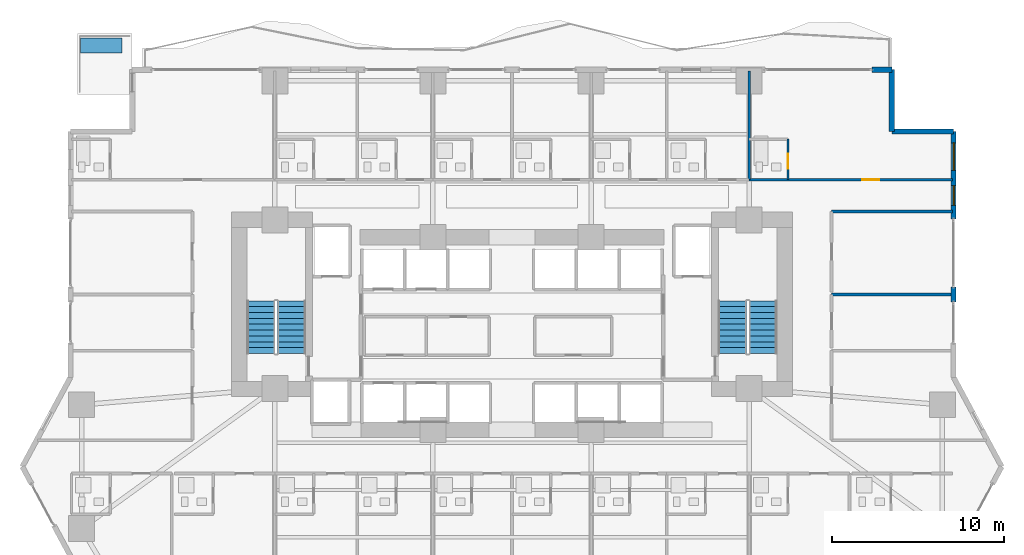
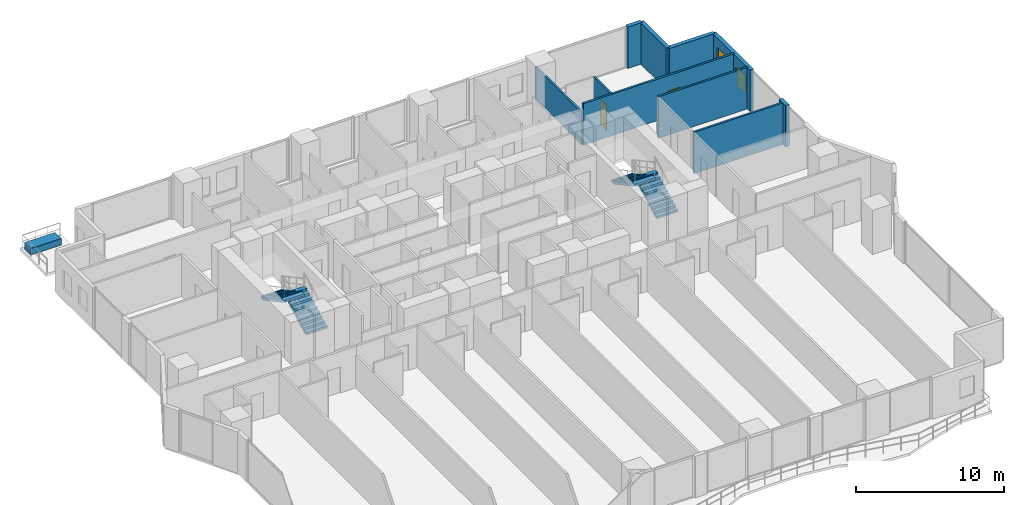
# One storey, part 24 of 29: 10 walls, 4 stair flights, 2 doors, 2 windows, 1 building element part, 4 openings, 2 elements without a shape of their own.
"""IFC4 building model written with IfcOpenShell, lengths in metres."""

from ifc_helpers import new_model, si_unit, direction, frame, frame_2d, origin, origin_2d, place, context, subcontext, project, spatial, polyline, rectangle, outline, extrude, material, layer, layer_set, type_object, element, fill, aggregate, save


model = new_model("IFC4")

# Units and contexts
model_context = context("Model", 3, precision=1e-05, world=origin(), true_north=direction((0.0, 1.0)))
body_context = subcontext(model_context, "Body", "Model", "MODEL_VIEW")
ifc_project = project(units=[si_unit("LENGTHUNIT", "METRE"), si_unit("AREAUNIT", "SQUARE_METRE"), si_unit("VOLUMEUNIT", "CUBIC_METRE"), si_unit("PLANEANGLEUNIT", "RADIAN"), si_unit("MASSUNIT", "GRAM", prefix="KILO")], contexts=[model_context])

# Site, building, storey
site_placement = place(None, origin())
site = spatial("IfcSite", under=ifc_project, at=site_placement, CompositionType="ELEMENT")
building_placement = place(site_placement, origin())
building = spatial("IfcBuilding", under=site, at=building_placement, Name="Zuhayl Quay Hotel", CompositionType="ELEMENT")
storey_placement = place(building_placement, frame((0.0, 0.0, 64.10009765625)))
storey = spatial("IfcBuildingStorey", under=building, at=storey_placement, Name="L15", CompositionType="ELEMENT", Elevation=64.10009765625)

# Walls
ifc_material_1 = material(Name="Precast concrete C45/55", Category="concrete")
ifc_layer_1 = layer(ifc_material_1, 0.300048828125, Name="Precast concrete C45/55", Category="concrete")
ifc_layer_set_1 = layer_set([ifc_layer_1], Name="Precast concrete C45/55")
wall_type_1 = type_object("IfcWallType", Name="WL_EXT_300", PredefinedType="STANDARD", material=ifc_layer_set_1)
wall_1_placement = place(storey_placement, frame((20.949951171875, 23.10009765625, 0.0), z_axis=(0.0, 0.0, 1.0), x_axis=(1.0, 0.0, 0.0)))
element("IfcWall", 1, at=wall_1_placement, inside=storey, type_object=wall_type_1, Name="L15 Exterior Precast Wall ENV_L15_N_EW7", PredefinedType="STANDARD", context=body_context, shape_type="SweptSolid", body=[
    extrude(rectangle(XDim=1.150146484375, YDim=0.300048828125, at=frame_2d((0.5751953125, 0.0))), origin(), (0.0, 0.0, 1.0), 3.429931640625),
])
wall_2_placement = place(storey_placement, frame((22.10009765625, 23.10009765625, 0.0), z_axis=(0.0, 0.0, 1.0), x_axis=(0.0, -1.0, 0.0)))
element("IfcWall", 2, at=wall_2_placement, inside=storey, type_object=wall_type_1, Name="L15 Exterior Precast Wall ENV_L15_EW09", PredefinedType="STANDARD", context=body_context, shape_type="SweptSolid", body=[
    extrude(rectangle(XDim=3.60009765625, YDim=0.300048828125, at=frame_2d((1.800048828125, 0.0))), origin(), (0.0, 0.0, 1.0), 3.429931640625),
])
wall_3_placement = place(storey_placement, frame((22.10009765625, 19.5, 0.0), z_axis=(0.0, 0.0, 1.0), x_axis=(1.0, 0.0, 0.0)))
element("IfcWall", 3, at=wall_3_placement, inside=storey, type_object=wall_type_1, Name="L15 Exterior Precast Wall ENV_L15_EW10", PredefinedType="STANDARD", context=body_context, shape_type="SweptSolid", body=[
    extrude(rectangle(XDim=3.599853515625, YDim=0.300048828125, at=frame_2d((1.7998046875, 0.0))), origin(), (0.0, 0.0, 1.0), 3.429931640625),
])

# Wall, openings, windows
wall_4_placement = place(storey_placement, frame((25.699951171875, 19.5, 0.0), z_axis=(0.0, 0.0, 1.0), x_axis=(0.0, -1.0, 0.0)))
wall_4 = element("IfcWall", 4, at=wall_4_placement, inside=storey, type_object=wall_type_1, Name="L15 Exterior Precast Wall ENV_L15_E11_EW1", PredefinedType="STANDARD", context=body_context, shape_type="SweptSolid", body=[
    extrude(rectangle(XDim=5.10009765625, YDim=0.300048828125, at=frame_2d((2.550048828125, 0.0))), origin(), (0.0, 0.0, 1.0), 3.429931640625),
])
opening_1_placement = place(wall_4_placement, frame((0.659912109375, 0.0, 0.85009765625)))
opening_1 = element("IfcOpeningElement", 5, at=opening_1_placement, cuts=wall_4, Name="Opening W01", PredefinedType="OPENING", context=body_context, shape_type="SweptSolid", body=[
    extrude(rectangle(XDim=1.60009765625, YDim=1.800048828125, at=frame_2d((0.800048828125, 0.89990234375))), frame((0.0, 0.159912109375, 0.0), z_axis=(0.0, -1.0, 0.0), x_axis=(1.0, 0.0, 0.0)), (0.0, 0.0, 1.0), 0.320068359375),
])
opening_2_placement = place(wall_4_placement, frame((3.14990234375, 0.0, 0.949951171875)))
opening_2 = element("IfcOpeningElement", 6, at=opening_2_placement, cuts=wall_4, Name="Opening W01N", PredefinedType="OPENING", context=body_context, shape_type="SweptSolid", body=[
    extrude(rectangle(XDim=1.14990234375, YDim=1.550048828125, at=frame_2d((0.574951171875, 0.77490234375))), frame((0.0, 0.159912109375, 0.0), z_axis=(0.0, -1.0, 0.0), x_axis=(1.0, 0.0, 0.0)), (0.0, 0.0, 1.0), 0.320068359375),
])
ifc_material_2 = material(Name="Dark Ceramic-Fritted Solar Glass", Category="glass")
window_type_1 = type_object("IfcWindowType", Name="WN_NOTCH_1350", PartitioningType="SINGLE_PANEL", PredefinedType="WINDOW", material=ifc_material_2)
window_1_placement = place(opening_2_placement, origin())
window_1 = element("IfcWindow", 7, at=window_1_placement, inside=storey, type_object=window_type_1, Name="L15 Operable Facade Window 1-2", OverallHeight=1.550048828125, OverallWidth=1.14990234375, PartitioningType="SINGLE_PANEL", PredefinedType="WINDOW", context=body_context, shape_type="SweptSolid", body=[
    extrude(rectangle(XDim=1.14990234375, YDim=1.550048828125, at=frame_2d((0.574951171875, 0.77490234375))), frame((0.0, 0.030029296875, 0.0), z_axis=(0.0, -1.0, 0.0), x_axis=(1.0, 0.0, 0.0)), (0.0, 0.0, 1.0), 0.06005859375),
])
fill(opening_2, window_1)
window_type_2 = type_object("IfcWindowType", Name="WN_OPERABLE_1600", PartitioningType="DOUBLE_PANEL_VERTICAL", PredefinedType="WINDOW", material=ifc_material_2)
window_2_placement = place(opening_1_placement, origin())
window_2 = element("IfcWindow", 8, at=window_2_placement, inside=storey, type_object=window_type_2, Name="L15 Operable Facade Window 1-1", OverallHeight=1.800048828125, OverallWidth=1.60009765625, PartitioningType="SINGLE_PANEL", PredefinedType="WINDOW", context=body_context, shape_type="SweptSolid", body=[
    extrude(rectangle(XDim=1.60009765625, YDim=1.800048828125, at=frame_2d((0.800048828125, 0.89990234375))), frame((0.0, 0.030029296875, 0.0), z_axis=(0.0, -1.0, 0.0), x_axis=(1.0, 0.0, 0.0)), (0.0, 0.0, 1.0), 0.06005859375),
])
fill(opening_1, window_2)

# Walls
wall_5_placement = place(storey_placement, frame((25.699951171875, 10.469970703125, 0.0), z_axis=(0.0, 0.0, 1.0), x_axis=(0.0, -1.0, 0.0)))
element("IfcWall", 9, at=wall_5_placement, inside=storey, type_object=wall_type_1, Name="L15 Exterior Precast Wall ENV_L15_E11_EW2", PredefinedType="STANDARD", context=body_context, shape_type="SweptSolid", body=[
    extrude(rectangle(XDim=0.89990234375, YDim=0.300048828125, at=frame_2d((0.449951171875, 0.0))), origin(), (0.0, 0.0, 1.0), 3.429931640625),
])
ifc_material_3 = material(Name="Acoustic Gypsum Partition STC-58")
ifc_layer_2 = layer(ifc_material_3, 0.14990234375, Name="Acoustic Gypsum Partition STC-58")
ifc_layer_set_2 = layer_set([ifc_layer_2], Name="Acoustic Gypsum Partition STC-58")
wall_type_2 = type_object("IfcWallType", Name="WL_PART_150", PredefinedType="PARTITIONING", material=ifc_layer_set_2)
wall_6_placement = place(storey_placement, frame((13.800048828125, 16.699951171875, 0.0), z_axis=(0.0, 0.0, 1.0), x_axis=(0.0, 1.0, 0.0)))
element("IfcWall", 10, at=wall_6_placement, inside=storey, type_object=wall_type_2, Name="L15 Partition IW_L15_NU07_E", PredefinedType="PARTITIONING", context=body_context, shape_type="SweptSolid", body=[
    extrude(rectangle(XDim=6.320068359375, YDim=0.14990234375, at=frame_2d((3.16015625, 0.0))), origin(), (0.0, 0.0, 1.0), 2.66796875),
])
for number, where, z_axis, x_axis, name in (
    (11, (18.60009765625, 10.02001953125, 0.0), (0.0, 0.0, 1.0), (1.0, 0.0, 0.0), "L15 Partition IW_L15_EFLK_2_N"),
    (12, (18.60009765625, 14.85009765625, 0.0), (0.0, 0.0, 1.0), (1.0, 0.0, 0.0), "L15 Partition IW_L15_EFLK_3_N"),
):
    element("IfcWall", number, at=place(storey_placement, frame(where, z_axis=z_axis, x_axis=x_axis)), inside=storey, type_object=wall_type_2, Name=name, PredefinedType="PARTITIONING", context=body_context, shape_type="SweptSolid", body=[
        extrude(rectangle(XDim=7.039794921875, YDim=0.14990234375, at=frame_2d((3.52001953125, 0.0))), origin(), (0.0, 0.0, 1.0), 3.429931640625),
    ])

# Wall, opening, door
ifc_layer_3 = layer(ifc_material_3, 0.159912109375, Name="Acoustic Gypsum Partition STC-58")
ifc_layer_set_3 = layer_set([ifc_layer_3], Name="Acoustic Gypsum Partition STC-58")
wall_type_3 = type_object("IfcWallType", Name="WL_PART_CORR_160", PredefinedType="PARTITIONING", material=ifc_layer_set_3)
wall_7_placement = place(storey_placement, frame((13.800048828125, 16.699951171875, 0.0), z_axis=(0.0, 0.0, 1.0), x_axis=(1.0, 0.0, 0.0)))
wall_7 = element("IfcWall", 13, at=wall_7_placement, inside=storey, type_object=wall_type_3, Name="L15 Partition IW_L15_NU08_COR", PredefinedType="PARTITIONING", context=body_context, shape_type="SweptSolid", body=[
    extrude(rectangle(XDim=11.83984375, YDim=0.159912109375, at=frame_2d((5.919921875, 0.0))), origin(), (0.0, 0.0, 1.0), 3.429931640625),
])
opening_3_placement = place(wall_7_placement, frame((6.570068359375, 0.0, 0.0)))
opening_3 = element("IfcOpeningElement", 14, at=opening_3_placement, cuts=wall_7, Name="Opening D03L", PredefinedType="OPENING", context=body_context, shape_type="SweptSolid", body=[
    extrude(rectangle(XDim=1.0, YDim=2.14990234375, at=frame_2d((0.5, 1.074951171875))), frame((0.0, 0.08984375, 0.0), z_axis=(0.0, -1.0, 0.0), x_axis=(1.0, 0.0, 0.0)), (0.0, 0.0, 1.0), 0.179931640625),
])
ifc_material_4 = material(Name="Solid Walnut Acoustic Fire Door")
door_type_1 = type_object("IfcDoorType", Name="DR_SUITE_1000", OperationType="NOTDEFINED", PredefinedType="DOOR", material=ifc_material_4)
door_1_placement = place(opening_3_placement, origin())
door_1 = element("IfcDoor", 15, at=door_1_placement, inside=storey, type_object=door_type_1, Name="L15 Deluxe Gulf Guest Room L15-08 Entrance Door", OperationType="SINGLE_SWING_LEFT", OverallHeight=2.14990234375, OverallWidth=1.0, PredefinedType="DOOR", context=body_context, shape_type="SweptSolid", body=[
    extrude(rectangle(XDim=1.0, YDim=2.14990234375, at=frame_2d((0.5, 1.074951171875))), frame((0.0, 0.02490234375, 0.0), z_axis=(0.0, -1.0, 0.0), x_axis=(1.0, 0.0, 0.0)), (0.0, 0.0, 1.0), 0.050048828125),
])
fill(opening_3, door_1)

ifc_material_5 = material(Name="Moisture-Resistant Sanitarychase Gypsum")
ifc_layer_4 = layer(ifc_material_5, 0.135009765625, Name="Moisture-Resistant Sanitarychase Gypsum")
ifc_layer_set_4 = layer_set([ifc_layer_4], Name="Moisture-Resistant Sanitarychase Gypsum")
wall_type_4 = type_object("IfcWallType", Name="WL_PART_PLUMB_150", PredefinedType="PLUMBINGWALL", material=ifc_layer_set_4)
wall_8_placement = place(storey_placement, frame((16.06005859375, 16.699951171875, 0.0), z_axis=(0.0, 0.0, 1.0), x_axis=(0.0, 1.0, 0.0)))
wall_8 = element("IfcWall", 16, at=wall_8_placement, inside=storey, type_object=wall_type_4, Name="L15 Partition IW_L15_NU08_BE", PredefinedType="PLUMBINGWALL", context=body_context, shape_type="SweptSolid", body=[
    extrude(rectangle(XDim=2.360107421875, YDim=0.135009765625, at=frame_2d((1.18017578125, 0.0))), origin(), (0.0, 0.0, 1.0), 3.429931640625),
])
opening_4_placement = place(wall_8_placement, frame((0.64990234375, 0.0, 0.0)))
opening_4 = element("IfcOpeningElement", 17, at=opening_4_placement, cuts=wall_8, Name="Opening D04", PredefinedType="OPENING", context=body_context, shape_type="SweptSolid", body=[
    extrude(rectangle(XDim=0.85009765625, YDim=2.10009765625, at=frame_2d((0.425048828125, 1.050048828125))), frame((0.0, 0.077392578125, 0.0), z_axis=(0.0, -1.0, 0.0), x_axis=(1.0, 0.0, 0.0)), (0.0, 0.0, 1.0), 0.155029296875),
])
ifc_material_6 = material(Name="Moisture-Resistant Walnut Veneer")
door_type_2 = type_object("IfcDoorType", Name="DR_BATH_850", OperationType="NOTDEFINED", PredefinedType="DOOR", material=ifc_material_6)
door_2_placement = place(opening_4_placement, origin())
door_2 = element("IfcDoor", 18, at=door_2_placement, inside=storey, type_object=door_type_2, Name="L15 Deluxe Gulf Guest Room L15-08 En-Suite Door", OperationType="SINGLE_SWING_RIGHT", OverallHeight=2.10009765625, OverallWidth=0.85009765625, PredefinedType="DOOR", context=body_context, shape_type="SweptSolid", body=[
    extrude(rectangle(XDim=0.85009765625, YDim=2.10009765625, at=frame_2d((0.425048828125, 1.050048828125))), frame((0.0, 0.02490234375, 0.0), z_axis=(0.0, -1.0, 0.0), x_axis=(1.0, 0.0, 0.0)), (0.0, 0.0, 1.0), 0.050048828125),
])
fill(opening_4, door_2)

# Stair, stair flights
ifc_material_7 = material(Name="Concrete C45/55", Category="concrete")
stair_type = type_object("IfcStairType", Name="ST_DOGLEG_TOWER", PredefinedType="HALF_TURN_STAIR", material=ifc_material_7)
stair_1_placement = place(storey_placement, origin())
stair_1 = element("IfcStair", 19, at=stair_1_placement, inside=storey, type_object=stair_type, Name="L15 Smokeproof Exit Stair ST1", PredefinedType="HALF_TURN_STAIR")
ifc_layer_5 = layer(ifc_material_7, 0.159912109375, Name="Concrete C45/55", Category="concrete")
ifc_layer_set_5 = layer_set([ifc_layer_5], Name="Concrete C45/55")
stair_flight_type = type_object("IfcStairFlightType", Name="SF_CONC_164", PredefinedType="STRAIGHT", material=ifc_layer_set_5)
stair_flight_1_placement = place(storey_placement, frame((-12.820068359375, 6.590087890625, 0.0), z_axis=(0.0, 0.0, 1.0), x_axis=(0.0, 1.0, 0.0)))
stair_flight_1 = element("IfcStairFlight", 20, at=stair_flight_1_placement, type_object=stair_flight_type, Name="ST1 flight 1", NumberOfRisers=10, NumberOfTreads=9, PredefinedType="STRAIGHT", RiserHeight=0.1825, TreadLength=0.34, context=body_context, shape_type="SweptSolid", body=[
    extrude(outline(polyline([(0.0, 0.0), (0.0, 0.1826171875), (0.340087890625, 0.1826171875), (0.340087890625, 0.364990234375), (0.679931640625, 0.364990234375), (0.679931640625, 0.547607421875), (1.02001953125, 0.547607421875), (1.02001953125, 0.72998046875), (1.360107421875, 0.72998046875), (1.360107421875, 0.91259765625), (1.699951171875, 0.91259765625), (1.699951171875, 1.094970703125), (2.0400390625, 1.094970703125), (2.0400390625, 1.277587890625), (2.3798828125, 1.277587890625), (2.3798828125, 1.4599609375), (2.719970703125, 1.4599609375), (2.719970703125, 1.642578125), (3.06005859375, 1.642578125), (3.06005859375, 1.824951171875), (3.06005859375, 1.472412109375), (0.31689453125, 0.0), (0.0, 0.0)])), frame((0.0, 0.81982421875, 0.0), z_axis=(0.0, -1.0, 0.0), x_axis=(1.0, 0.0, 0.0)), (0.0, 0.0, 1.0), 1.639892578125),
])
stair_flight_2_placement = place(storey_placement, frame((-14.610107421875, 9.64990234375, 1.824951171875), z_axis=(0.0, 0.0, 1.0), x_axis=(0.0, -1.0, 0.0)))
stair_flight_2 = element("IfcStairFlight", 21, at=stair_flight_2_placement, type_object=stair_flight_type, Name="ST1 flight 2", NumberOfRisers=10, NumberOfTreads=9, PredefinedType="STRAIGHT", RiserHeight=0.1825, TreadLength=0.34, context=body_context, shape_type="SweptSolid", body=[
    extrude(outline(polyline([(0.0, 0.0), (0.0, 0.1826171875), (0.340087890625, 0.1826171875), (0.340087890625, 0.364990234375), (0.679931640625, 0.364990234375), (0.679931640625, 0.547607421875), (1.02001953125, 0.547607421875), (1.02001953125, 0.72998046875), (1.360107421875, 0.72998046875), (1.360107421875, 0.91259765625), (1.699951171875, 0.91259765625), (1.699951171875, 1.094970703125), (2.0400390625, 1.094970703125), (2.0400390625, 1.277587890625), (2.3798828125, 1.277587890625), (2.3798828125, 1.4599609375), (2.719970703125, 1.4599609375), (2.719970703125, 1.642578125), (3.06005859375, 1.642578125), (3.06005859375, 1.824951171875), (3.06005859375, 1.472412109375), (0.31689453125, 0.0), (0.0, 0.0)])), frame((0.0, 0.81982421875, 0.0), z_axis=(0.0, -1.0, 0.0), x_axis=(1.0, 0.0, 0.0)), (0.0, 0.0, 1.0), 1.639892578125),
])
aggregate(stair_1, [stair_flight_1, stair_flight_2])

stair_2_placement = place(storey_placement, origin())
stair_2 = element("IfcStair", 22, at=stair_2_placement, inside=storey, type_object=stair_type, Name="L15 Smokeproof Exit Stair ST2", PredefinedType="HALF_TURN_STAIR")
stair_flight_3_placement = place(storey_placement, frame((14.610107421875, 6.590087890625, 0.0), z_axis=(0.0, 0.0, 1.0), x_axis=(0.0, 1.0, 0.0)))
stair_flight_3 = element("IfcStairFlight", 23, at=stair_flight_3_placement, type_object=stair_flight_type, Name="ST2 flight 1", NumberOfRisers=10, NumberOfTreads=9, PredefinedType="STRAIGHT", RiserHeight=0.1825, TreadLength=0.34, context=body_context, shape_type="SweptSolid", body=[
    extrude(outline(polyline([(0.0, 0.0), (0.0, 0.1826171875), (0.340087890625, 0.1826171875), (0.340087890625, 0.364990234375), (0.679931640625, 0.364990234375), (0.679931640625, 0.547607421875), (1.02001953125, 0.547607421875), (1.02001953125, 0.72998046875), (1.360107421875, 0.72998046875), (1.360107421875, 0.91259765625), (1.699951171875, 0.91259765625), (1.699951171875, 1.094970703125), (2.0400390625, 1.094970703125), (2.0400390625, 1.277587890625), (2.3798828125, 1.277587890625), (2.3798828125, 1.4599609375), (2.719970703125, 1.4599609375), (2.719970703125, 1.642578125), (3.06005859375, 1.642578125), (3.06005859375, 1.824951171875), (3.06005859375, 1.472412109375), (0.31689453125, 0.0), (0.0, 0.0)])), frame((0.0, 0.81982421875, 0.0), z_axis=(0.0, -1.0, 0.0), x_axis=(1.0, 0.0, 0.0)), (0.0, 0.0, 1.0), 1.639892578125),
])
stair_flight_4_placement = place(storey_placement, frame((12.820068359375, 9.64990234375, 1.824951171875), z_axis=(0.0, 0.0, 1.0), x_axis=(0.0, -1.0, 0.0)))
stair_flight_4 = element("IfcStairFlight", 24, at=stair_flight_4_placement, type_object=stair_flight_type, Name="ST2 flight 2", NumberOfRisers=10, NumberOfTreads=9, PredefinedType="STRAIGHT", RiserHeight=0.1825, TreadLength=0.34, context=body_context, shape_type="SweptSolid", body=[
    extrude(outline(polyline([(0.0, 0.0), (0.0, 0.1826171875), (0.340087890625, 0.1826171875), (0.340087890625, 0.364990234375), (0.679931640625, 0.364990234375), (0.679931640625, 0.547607421875), (1.02001953125, 0.547607421875), (1.02001953125, 0.72998046875), (1.360107421875, 0.72998046875), (1.360107421875, 0.91259765625), (1.699951171875, 0.91259765625), (1.699951171875, 1.094970703125), (2.0400390625, 1.094970703125), (2.0400390625, 1.277587890625), (2.3798828125, 1.277587890625), (2.3798828125, 1.4599609375), (2.719970703125, 1.4599609375), (2.719970703125, 1.642578125), (3.06005859375, 1.642578125), (3.06005859375, 1.824951171875), (3.06005859375, 1.472412109375), (0.31689453125, 0.0), (0.0, 0.0)])), frame((0.0, 0.81982421875, 0.0), z_axis=(0.0, -1.0, 0.0), x_axis=(1.0, 0.0, 0.0)), (0.0, 0.0, 1.0), 1.639892578125),
])
aggregate(stair_2, [stair_flight_3, stair_flight_4])

# Building element part
ifc_layer_6 = layer(ifc_material_1, 0.550048828125, Name="Precast concrete C45/55", Category="concrete")
ifc_layer_set_6 = layer_set([ifc_layer_6], Name="Precast concrete C45/55")
building_element_part_type = type_object("IfcBuildingElementPartType", Name="PT_PLANTER_KERB", PredefinedType="PRECASTPANEL", material=ifc_layer_set_6)
building_element_part_placement = place(storey_placement, frame((-23.909912109375, 24.510009765625, 0.0), z_axis=(0.0, 0.0, 1.0), x_axis=(1.0, 0.0, 0.0)))
element("IfcBuildingElementPart", 25, at=building_element_part_placement, inside=storey, type_object=building_element_part_type, Name="L15 Spiral Sky-Terrace Planter Box NW", PredefinedType="PRECASTPANEL", context=body_context, shape_type="SweptSolid", body=[
    extrude(rectangle(XDim=2.39990234375, YDim=0.85009765625, at=origin_2d()), origin(), (0.0, 0.0, 1.0), 0.550048828125),
])

save(model, "model.ifc")
